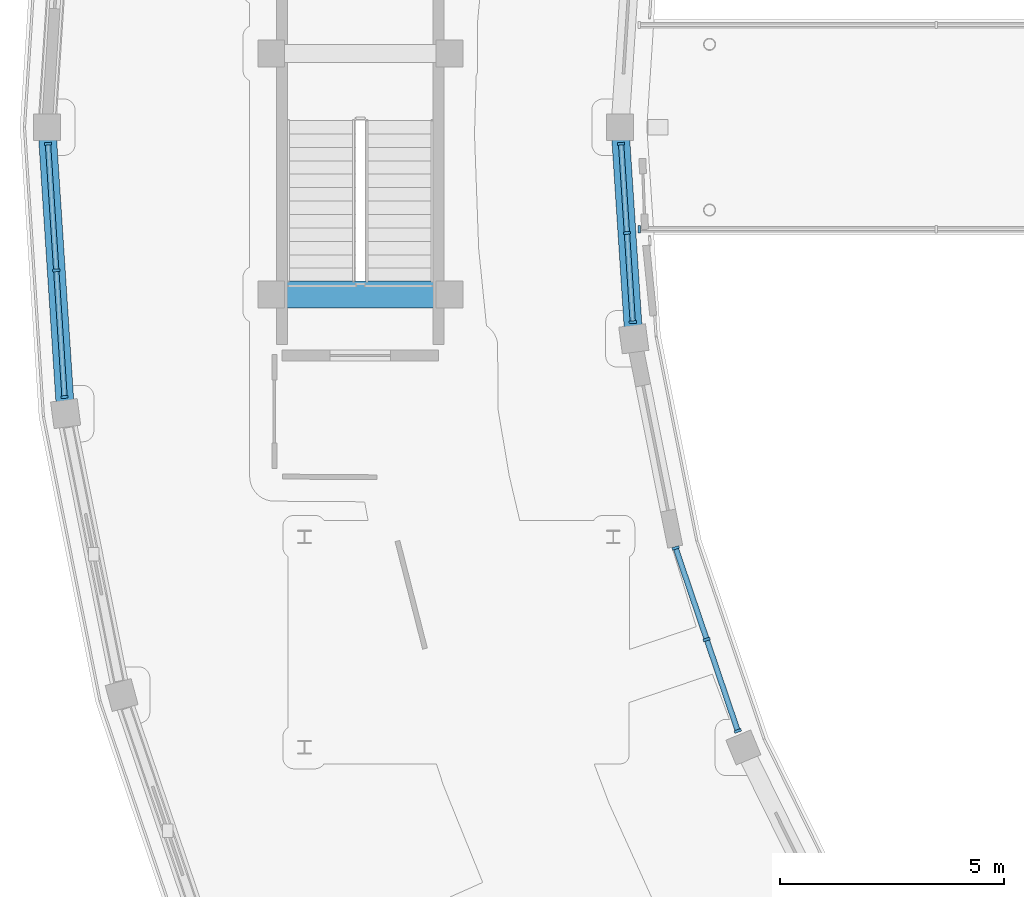
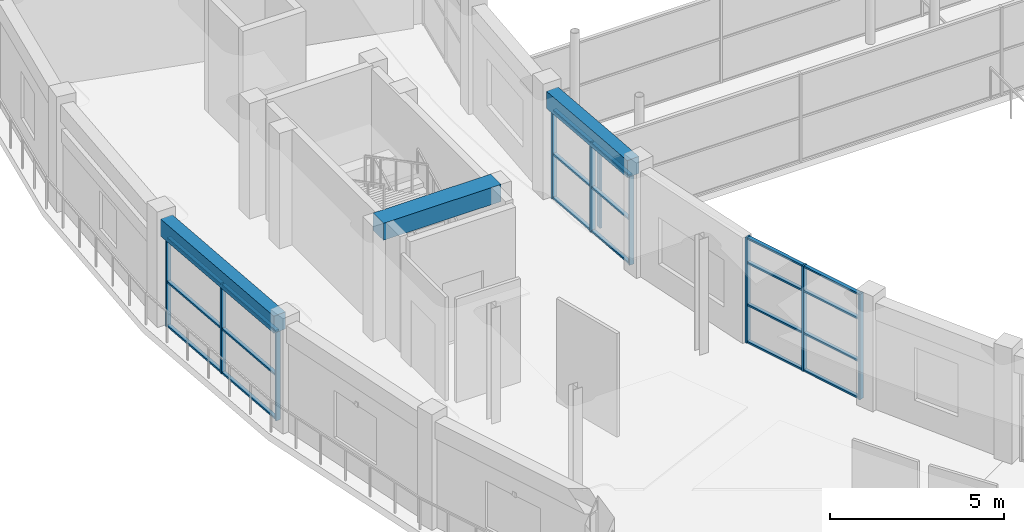
# One storey, part 17 of 72: 30 members, 3 beams, 4 elements without a shape of their own.
"""IFC4 building model written with IfcOpenShell, lengths in metres."""

from ifc_helpers import new_model, si_unit, direction, frame, origin, origin_2d, place, context, subcontext, project, spatial, rectangle, extrude, material, material_profile, profile_set, type_object, element, aggregate, save


model = new_model("IFC4")

# Units and contexts
model_context = context("Model", 3, precision=1e-05, world=origin(), true_north=direction((0.0, 1.0)))
body_context = subcontext(model_context, "Body", "Model", "MODEL_VIEW")
ifc_project = project(units=[si_unit("LENGTHUNIT", "METRE"), si_unit("AREAUNIT", "SQUARE_METRE"), si_unit("VOLUMEUNIT", "CUBIC_METRE"), si_unit("PLANEANGLEUNIT", "RADIAN"), si_unit("MASSUNIT", "GRAM", prefix="KILO")], contexts=[model_context])

# Site, building, storey
site_placement = place(None, origin())
site = spatial("IfcSite", under=ifc_project, at=site_placement, CompositionType="ELEMENT")
building_placement = place(site_placement, origin())
building = spatial("IfcBuilding", under=site, at=building_placement, Name="Saryqyr Civic Hall", CompositionType="ELEMENT")
storey_placement = place(building_placement, frame((0.0, 0.0, 17.25)))
storey = spatial("IfcBuildingStorey", under=building, at=storey_placement, Name="L04", CompositionType="ELEMENT", Elevation=17.25)

# Curtain wall, members
ifc_material_1 = material(Name="Anodised aluminium and triple low-E glass", Category="aluminium")
curtain_wall_type_1 = type_object("IfcCurtainWallType", Name="ENV-CW-STD-31", PredefinedType="NOTDEFINED", material=ifc_material_1)
curtain_wall_1_placement = place(storey_placement, origin())
curtain_wall_1 = element("IfcCurtainWall", 1, at=curtain_wall_1_placement, inside=storey, type_object=curtain_wall_type_1, Name="Curtain wall V4-CWO-L04-02", PredefinedType="NOTDEFINED")
ifc_material_2 = material(Name="Anodised aluminium", Category="aluminium")
ifc_material_profile_1 = material_profile(ifc_material_2, rectangle(XDim=0.06005859375, YDim=0.159912109375, at=origin_2d()), Name="ALU MULLION 60x160")
ifc_profile_set_1 = profile_set([ifc_material_profile_1], Name="Anodised aluminium")
member_type_1 = type_object("IfcMemberType", Name="ENV-CW-MUL-180", PredefinedType="MULLION", material=ifc_profile_set_1)
member_1_placement = place(storey_placement, frame((8.39501953125, 77.97412109375, 0.0), z_axis=(0.0, 0.0, 1.0), x_axis=(-0.06539733631, 0.99785930291, 0.0)))
member_1 = element("IfcMember", 2, at=member_1_placement, type_object=member_type_1, Name="CW-31 mullion 1", PredefinedType="MULLION", context=body_context, shape_type="SweptSolid", body=[
    extrude(rectangle(XDim=0.06005859375, YDim=0.159912109375, at=origin_2d()), origin(), (0.0, 0.0, 1.0), 3.135009765625),
])
member_2_placement = place(storey_placement, frame((8.209716796875, 80.802001953125, 0.0), z_axis=(0.0, 0.0, 1.0), x_axis=(-0.06539733631, 0.99785930291, 0.0)))
member_2 = element("IfcMember", 3, at=member_2_placement, type_object=member_type_1, Name="CW-31 mullion 2", PredefinedType="MULLION", context=body_context, shape_type="SweptSolid", body=[
    extrude(rectangle(XDim=0.06005859375, YDim=0.159912109375, at=origin_2d()), origin(), (0.0, 0.0, 1.0), 3.135009765625),
])
member_3_placement = place(storey_placement, frame((8.024169921875, 83.630126953125, 0.0), z_axis=(0.0, 0.0, 1.0), x_axis=(-0.06539733631, 0.99785930291, 0.0)))
member_3 = element("IfcMember", 4, at=member_3_placement, type_object=member_type_1, Name="CW-31 mullion 3", PredefinedType="MULLION", context=body_context, shape_type="SweptSolid", body=[
    extrude(rectangle(XDim=0.06005859375, YDim=0.159912109375, at=origin_2d()), origin(), (0.0, 0.0, 1.0), 3.135009765625),
])

curtain_wall_type_2 = type_object("IfcCurtainWallType", Name="ENV-CW-STD-13", PredefinedType="NOTDEFINED", material=ifc_material_1)
curtain_wall_2_placement = place(storey_placement, origin())
curtain_wall_2 = element("IfcCurtainWall", 5, at=curtain_wall_2_placement, inside=storey, type_object=curtain_wall_type_2, Name="Curtain wall V4-CWI-L04-02", PredefinedType="NOTDEFINED")
member_4_placement = place(storey_placement, frame((20.82421875, 83.630126953125, 0.0), z_axis=(0.0, 0.0, 1.0), x_axis=(0.065397404214, -0.997859298459, 0.0)))
member_4 = element("IfcMember", 6, at=member_4_placement, type_object=member_type_1, Name="CW-13 mullion 1", PredefinedType="MULLION", context=body_context, shape_type="SweptSolid", body=[
    extrude(rectangle(XDim=0.06005859375, YDim=0.159912109375, at=origin_2d()), origin(), (0.0, 0.0, 1.0), 3.135009765625),
])
member_5_placement = place(storey_placement, frame((20.954833984375, 81.637451171875, 0.0), z_axis=(0.0, 0.0, 1.0), x_axis=(0.065397404214, -0.997859298459, 0.0)))
member_5 = element("IfcMember", 7, at=member_5_placement, type_object=member_type_1, Name="CW-13 mullion 2", PredefinedType="MULLION", context=body_context, shape_type="SweptSolid", body=[
    extrude(rectangle(XDim=0.06005859375, YDim=0.159912109375, at=origin_2d()), origin(), (0.0, 0.0, 1.0), 3.135009765625),
])
member_6_placement = place(storey_placement, frame((21.08544921875, 79.64501953125, 0.0), z_axis=(0.0, 0.0, 1.0), x_axis=(0.065397404214, -0.997859298459, 0.0)))
member_6 = element("IfcMember", 8, at=member_6_placement, type_object=member_type_1, Name="CW-13 mullion 3", PredefinedType="MULLION", context=body_context, shape_type="SweptSolid", body=[
    extrude(rectangle(XDim=0.06005859375, YDim=0.159912109375, at=origin_2d()), origin(), (0.0, 0.0, 1.0), 3.135009765625),
])

curtain_wall_type_3 = type_object("IfcCurtainWallType", Name="ENV-CW-STD-24", PredefinedType="NOTDEFINED", material=ifc_material_1)
curtain_wall_3_placement = place(storey_placement, origin())
curtain_wall_3 = element("IfcCurtainWall", 9, at=curtain_wall_3_placement, inside=storey, type_object=curtain_wall_type_3, Name="Curtain wall V4-CWI-L04-04", PredefinedType="NOTDEFINED")
member_7_placement = place(storey_placement, frame((22.043212890625, 74.602294921875, 0.0), z_axis=(0.0, 0.0, 1.0), x_axis=(0.321446738583, -0.946927660518, 0.0)))
member_7 = element("IfcMember", 10, at=member_7_placement, type_object=member_type_1, Name="CW-24 mullion 1", PredefinedType="MULLION", context=body_context, shape_type="SweptSolid", body=[
    extrude(rectangle(XDim=0.06005859375, YDim=0.159912109375, at=origin_2d()), origin(), (0.0, 0.0, 1.0), 3.699951171875),
])
member_8_placement = place(storey_placement, frame((22.73681640625, 72.558837890625, 0.0), z_axis=(0.0, 0.0, 1.0), x_axis=(0.321446738583, -0.946927660518, 0.0)))
member_8 = element("IfcMember", 11, at=member_8_placement, type_object=member_type_1, Name="CW-24 mullion 2", PredefinedType="MULLION", context=body_context, shape_type="SweptSolid", body=[
    extrude(rectangle(XDim=0.06005859375, YDim=0.159912109375, at=origin_2d()), origin(), (0.0, 0.0, 1.0), 3.699951171875),
])
member_9_placement = place(storey_placement, frame((23.4306640625, 70.515380859375, 0.0), z_axis=(0.0, 0.0, 1.0), x_axis=(0.321446738583, -0.946927660518, 0.0)))
member_9 = element("IfcMember", 12, at=member_9_placement, type_object=member_type_1, Name="CW-24 mullion 3", PredefinedType="MULLION", context=body_context, shape_type="SweptSolid", body=[
    extrude(rectangle(XDim=0.06005859375, YDim=0.159912109375, at=origin_2d()), origin(), (0.0, 0.0, 1.0), 3.699951171875),
])

# Curtain wall, member
curtain_wall_type_4 = type_object("IfcCurtainWallType", Name="ENV-CW-STD-86", PredefinedType="NOTDEFINED", material=ifc_material_1)
curtain_wall_4_placement = place(storey_placement, origin())
curtain_wall_4 = element("IfcCurtainWall", 13, at=curtain_wall_4_placement, inside=storey, type_object=curtain_wall_type_4, Name="Curtain wall BR-CW-CW1-L04", PredefinedType="NOTDEFINED")
member_10_placement = place(storey_placement, frame((21.22998046875, 81.719970703125, 0.0), z_axis=(0.0, 0.0, 1.0), x_axis=(-1.0, 0.0, 0.0)))
member_10 = element("IfcMember", 14, at=member_10_placement, type_object=member_type_1, Name="CW-86 mullion 4", PredefinedType="MULLION", context=body_context, shape_type="SweptSolid", body=[
    extrude(rectangle(XDim=0.06005859375, YDim=0.159912109375, at=origin_2d()), origin(), (0.0, 0.0, 1.0), 3.0849609375),
])
aggregate(curtain_wall_4, [member_10])

# Member
ifc_material_profile_2 = material_profile(ifc_material_2, rectangle(XDim=0.1201171875, YDim=0.06005859375, at=origin_2d()), Name="ALU TRANSOM 120x60")
ifc_profile_set_2 = profile_set([ifc_material_profile_2], Name="Anodised aluminium")
member_type_2 = type_object("IfcMemberType", Name="ENV-CW-TRN-150", PredefinedType="USERDEFINED", material=ifc_profile_set_2)
member_11_placement = place(storey_placement, frame((8.39306640625, 78.004150390625, 0.030029296875), z_axis=(-0.06539158073, 0.9978596801, 0.0), x_axis=(-0.9978596801, -0.06539158073, 0.0)))
member_11 = element("IfcMember", 15, at=member_11_placement, type_object=member_type_2, Name="CW-31 transom 1.1", ObjectType="TRANSOM", PredefinedType="USERDEFINED", context=body_context, shape_type="SweptSolid", body=[
    extrude(rectangle(XDim=0.1201171875, YDim=0.06005859375, at=origin_2d()), origin(), (0.0, 0.0, 1.0), 2.77392578125),
])

member_12_placement = place(storey_placement, frame((8.39306640625, 78.004150390625, 1.56689453125), z_axis=(-0.06539158073, 0.9978596801, 0.0), x_axis=(-0.9978596801, -0.06539158073, 0.0)))
member_12 = element("IfcMember", 16, at=member_12_placement, type_object=member_type_2, Name="CW-31 transom 1.2", ObjectType="TRANSOM", PredefinedType="USERDEFINED", context=body_context, shape_type="SweptSolid", body=[
    extrude(rectangle(XDim=0.1201171875, YDim=0.06005859375, at=origin_2d()), origin(), (0.0, 0.0, 1.0), 2.77392578125),
])

member_13_placement = place(storey_placement, frame((8.39306640625, 78.004150390625, 3.10498046875), z_axis=(-0.06539158073, 0.9978596801, 0.0), x_axis=(-0.9978596801, -0.06539158073, 0.0)))
member_13 = element("IfcMember", 17, at=member_13_placement, type_object=member_type_2, Name="CW-31 transom 1.3", ObjectType="TRANSOM", PredefinedType="USERDEFINED", context=body_context, shape_type="SweptSolid", body=[
    extrude(rectangle(XDim=0.1201171875, YDim=0.06005859375, at=origin_2d()), origin(), (0.0, 0.0, 1.0), 2.77392578125),
])

member_14_placement = place(storey_placement, frame((8.20751953125, 80.83203125, 0.030029296875), z_axis=(-0.06539158073, 0.9978596801, 0.0), x_axis=(-0.9978596801, -0.06539158073, 0.0)))
member_14 = element("IfcMember", 18, at=member_14_placement, type_object=member_type_2, Name="CW-31 transom 2.1", ObjectType="TRANSOM", PredefinedType="USERDEFINED", context=body_context, shape_type="SweptSolid", body=[
    extrude(rectangle(XDim=0.1201171875, YDim=0.06005859375, at=origin_2d()), origin(), (0.0, 0.0, 1.0), 2.77392578125),
])

member_15_placement = place(storey_placement, frame((8.20751953125, 80.83203125, 1.56689453125), z_axis=(-0.06539158073, 0.9978596801, 0.0), x_axis=(-0.9978596801, -0.06539158073, 0.0)))
member_15 = element("IfcMember", 19, at=member_15_placement, type_object=member_type_2, Name="CW-31 transom 2.2", ObjectType="TRANSOM", PredefinedType="USERDEFINED", context=body_context, shape_type="SweptSolid", body=[
    extrude(rectangle(XDim=0.1201171875, YDim=0.06005859375, at=origin_2d()), origin(), (0.0, 0.0, 1.0), 2.77392578125),
])

member_16_placement = place(storey_placement, frame((8.20751953125, 80.83203125, 3.10498046875), z_axis=(-0.06539158073, 0.9978596801, 0.0), x_axis=(-0.9978596801, -0.06539158073, 0.0)))
member_16 = element("IfcMember", 20, at=member_16_placement, type_object=member_type_2, Name="CW-31 transom 2.3", ObjectType="TRANSOM", PredefinedType="USERDEFINED", context=body_context, shape_type="SweptSolid", body=[
    extrude(rectangle(XDim=0.1201171875, YDim=0.06005859375, at=origin_2d()), origin(), (0.0, 0.0, 1.0), 2.77392578125),
])

aggregate(curtain_wall_1, [member_1, member_2, member_3, member_11, member_12, member_13, member_14, member_15, member_16])

member_17_placement = place(storey_placement, frame((20.826171875, 83.60009765625, 0.030029296875), z_axis=(0.065422954354, -0.997857623634, 0.0), x_axis=(0.997857623634, 0.065422954354, 0.0)))
member_17 = element("IfcMember", 21, at=member_17_placement, type_object=member_type_2, Name="CW-13 transom 1.1", ObjectType="TRANSOM", PredefinedType="USERDEFINED", context=body_context, shape_type="SweptSolid", body=[
    extrude(rectangle(XDim=0.1201171875, YDim=0.06005859375, at=origin_2d()), origin(), (0.0, 0.0, 1.0), 1.936767578125),
])

member_18_placement = place(storey_placement, frame((20.826171875, 83.60009765625, 1.56689453125), z_axis=(0.065422954354, -0.997857623634, 0.0), x_axis=(0.997857623634, 0.065422954354, 0.0)))
member_18 = element("IfcMember", 22, at=member_18_placement, type_object=member_type_2, Name="CW-13 transom 1.2", ObjectType="TRANSOM", PredefinedType="USERDEFINED", context=body_context, shape_type="SweptSolid", body=[
    extrude(rectangle(XDim=0.1201171875, YDim=0.06005859375, at=origin_2d()), origin(), (0.0, 0.0, 1.0), 1.936767578125),
])

member_19_placement = place(storey_placement, frame((20.826171875, 83.60009765625, 3.10498046875), z_axis=(0.065422954354, -0.997857623634, 0.0), x_axis=(0.997857623634, 0.065422954354, 0.0)))
member_19 = element("IfcMember", 23, at=member_19_placement, type_object=member_type_2, Name="CW-13 transom 1.3", ObjectType="TRANSOM", PredefinedType="USERDEFINED", context=body_context, shape_type="SweptSolid", body=[
    extrude(rectangle(XDim=0.1201171875, YDim=0.06005859375, at=origin_2d()), origin(), (0.0, 0.0, 1.0), 1.936767578125),
])

member_20_placement = place(storey_placement, frame((20.956787109375, 81.607666015625, 0.030029296875), z_axis=(0.065414726113, -0.997858163071, 0.0), x_axis=(0.997858163071, 0.065414726113, 0.0)))
member_20 = element("IfcMember", 24, at=member_20_placement, type_object=member_type_2, Name="CW-13 transom 2.1", ObjectType="TRANSOM", PredefinedType="USERDEFINED", context=body_context, shape_type="SweptSolid", body=[
    extrude(rectangle(XDim=0.1201171875, YDim=0.06005859375, at=origin_2d()), origin(), (0.0, 0.0, 1.0), 1.93701171875),
])

member_21_placement = place(storey_placement, frame((20.956787109375, 81.607666015625, 1.56689453125), z_axis=(0.065414726113, -0.997858163071, 0.0), x_axis=(0.997858163071, 0.065414726113, 0.0)))
member_21 = element("IfcMember", 25, at=member_21_placement, type_object=member_type_2, Name="CW-13 transom 2.2", ObjectType="TRANSOM", PredefinedType="USERDEFINED", context=body_context, shape_type="SweptSolid", body=[
    extrude(rectangle(XDim=0.1201171875, YDim=0.06005859375, at=origin_2d()), origin(), (0.0, 0.0, 1.0), 1.93701171875),
])

member_22_placement = place(storey_placement, frame((20.956787109375, 81.607666015625, 3.10498046875), z_axis=(0.065414726113, -0.997858163071, 0.0), x_axis=(0.997858163071, 0.065414726113, 0.0)))
member_22 = element("IfcMember", 26, at=member_22_placement, type_object=member_type_2, Name="CW-13 transom 2.3", ObjectType="TRANSOM", PredefinedType="USERDEFINED", context=body_context, shape_type="SweptSolid", body=[
    extrude(rectangle(XDim=0.1201171875, YDim=0.06005859375, at=origin_2d()), origin(), (0.0, 0.0, 1.0), 1.93701171875),
])

aggregate(curtain_wall_2, [member_4, member_5, member_6, member_17, member_18, member_19, member_20, member_21, member_22])

member_23_placement = place(storey_placement, frame((22.052734375, 74.573974609375, 0.030029296875), z_axis=(0.321493848195, -0.946911667249, 0.0), x_axis=(0.946911667249, 0.321493848195, 0.0)))
member_23 = element("IfcMember", 27, at=member_23_placement, type_object=member_type_2, Name="CW-24 transom 1.1", ObjectType="TRANSOM", PredefinedType="USERDEFINED", context=body_context, shape_type="SweptSolid", body=[
    extrude(rectangle(XDim=0.1201171875, YDim=0.06005859375, at=origin_2d()), origin(), (0.0, 0.0, 1.0), 2.09814453125),
])

member_24_placement = place(storey_placement, frame((22.052734375, 74.573974609375, 1.33203125), z_axis=(0.321493848195, -0.946911667249, 0.0), x_axis=(0.946911667249, 0.321493848195, 0.0)))
member_24 = element("IfcMember", 28, at=member_24_placement, type_object=member_type_2, Name="CW-24 transom 1.2", ObjectType="TRANSOM", PredefinedType="USERDEFINED", context=body_context, shape_type="SweptSolid", body=[
    extrude(rectangle(XDim=0.1201171875, YDim=0.06005859375, at=origin_2d()), origin(), (0.0, 0.0, 1.0), 2.09814453125),
])

member_25_placement = place(storey_placement, frame((22.052734375, 74.573974609375, 2.81201171875), z_axis=(0.321493848195, -0.946911667249, 0.0), x_axis=(0.946911667249, 0.321493848195, 0.0)))
member_25 = element("IfcMember", 29, at=member_25_placement, type_object=member_type_2, Name="CW-24 transom 1.3", ObjectType="TRANSOM", PredefinedType="USERDEFINED", context=body_context, shape_type="SweptSolid", body=[
    extrude(rectangle(XDim=0.1201171875, YDim=0.06005859375, at=origin_2d()), origin(), (0.0, 0.0, 1.0), 2.09814453125),
])

member_26_placement = place(storey_placement, frame((22.052734375, 74.573974609375, 3.669921875), z_axis=(0.321493848195, -0.946911667249, 0.0), x_axis=(0.946911667249, 0.321493848195, 0.0)))
member_26 = element("IfcMember", 30, at=member_26_placement, type_object=member_type_2, Name="CW-24 transom 1.4", ObjectType="TRANSOM", PredefinedType="USERDEFINED", context=body_context, shape_type="SweptSolid", body=[
    extrude(rectangle(XDim=0.1201171875, YDim=0.06005859375, at=origin_2d()), origin(), (0.0, 0.0, 1.0), 2.09814453125),
])

member_27_placement = place(storey_placement, frame((22.74658203125, 72.530517578125, 0.030029296875), z_axis=(0.321389511978, -0.946947084895, 0.0), x_axis=(0.946947084895, 0.321389511978, 0.0)))
member_27 = element("IfcMember", 31, at=member_27_placement, type_object=member_type_2, Name="CW-24 transom 2.1", ObjectType="TRANSOM", PredefinedType="USERDEFINED", context=body_context, shape_type="SweptSolid", body=[
    extrude(rectangle(XDim=0.1201171875, YDim=0.06005859375, at=origin_2d()), origin(), (0.0, 0.0, 1.0), 2.09814453125),
])

member_28_placement = place(storey_placement, frame((22.74658203125, 72.530517578125, 1.33203125), z_axis=(0.321389511978, -0.946947084895, 0.0), x_axis=(0.946947084895, 0.321389511978, 0.0)))
member_28 = element("IfcMember", 32, at=member_28_placement, type_object=member_type_2, Name="CW-24 transom 2.2", ObjectType="TRANSOM", PredefinedType="USERDEFINED", context=body_context, shape_type="SweptSolid", body=[
    extrude(rectangle(XDim=0.1201171875, YDim=0.06005859375, at=origin_2d()), origin(), (0.0, 0.0, 1.0), 2.09814453125),
])

member_29_placement = place(storey_placement, frame((22.74658203125, 72.530517578125, 2.81201171875), z_axis=(0.321389511978, -0.946947084895, 0.0), x_axis=(0.946947084895, 0.321389511978, 0.0)))
member_29 = element("IfcMember", 33, at=member_29_placement, type_object=member_type_2, Name="CW-24 transom 2.3", ObjectType="TRANSOM", PredefinedType="USERDEFINED", context=body_context, shape_type="SweptSolid", body=[
    extrude(rectangle(XDim=0.1201171875, YDim=0.06005859375, at=origin_2d()), origin(), (0.0, 0.0, 1.0), 2.09814453125),
])

member_30_placement = place(storey_placement, frame((22.74658203125, 72.530517578125, 3.669921875), z_axis=(0.321389511978, -0.946947084895, 0.0), x_axis=(0.946947084895, 0.321389511978, 0.0)))
member_30 = element("IfcMember", 34, at=member_30_placement, type_object=member_type_2, Name="CW-24 transom 2.4", ObjectType="TRANSOM", PredefinedType="USERDEFINED", context=body_context, shape_type="SweptSolid", body=[
    extrude(rectangle(XDim=0.1201171875, YDim=0.06005859375, at=origin_2d()), origin(), (0.0, 0.0, 1.0), 2.09814453125),
])

aggregate(curtain_wall_3, [member_7, member_8, member_9, member_23, member_24, member_25, member_26, member_27, member_28, member_29, member_30])

# Beams
ifc_material_3 = material(Name="Concrete C35/45", Category="concrete")
ifc_material_profile_3 = material_profile(ifc_material_3, rectangle(XDim=0.39990234375, YDim=0.60009765625, at=origin_2d()), Name="RC 400x600")
ifc_profile_set_3 = profile_set([ifc_material_profile_3], Name="Concrete C35/45")
beam_type_1 = type_object("IfcBeamType", Name="STR-BM-RC400x600-EXT", PredefinedType="BEAM", material=ifc_profile_set_3)
beam_1_placement = place(storey_placement, frame((20.818115234375, 83.7255859375, 3.4599609375), z_axis=(0.065392297948, -0.997859633099, 0.0), x_axis=(0.997859633099, 0.065392297948, 0.0)))
element("IfcBeam", 35, at=beam_1_placement, inside=storey, type_object=beam_type_1, Name="Beam V4-CBM-IN02-L04", PredefinedType="BEAM", context=body_context, shape_type="SweptSolid", body=[
    extrude(rectangle(XDim=0.39990234375, YDim=0.60009765625, at=origin_2d()), origin(), (0.0, 0.0, 1.0), 4.185302734375),
])
beam_2_placement = place(storey_placement, frame((8.01806640625, 83.7255859375, 3.4599609375), z_axis=(0.06537407149, -0.997860827359, 0.0), x_axis=(0.997860827359, 0.06537407149, 0.0)))
element("IfcBeam", 36, at=beam_2_placement, inside=storey, type_object=beam_type_1, Name="Beam V4-CBM-OUT02-L04", PredefinedType="BEAM", context=body_context, shape_type="SweptSolid", body=[
    extrude(rectangle(XDim=0.39990234375, YDim=0.60009765625, at=origin_2d()), origin(), (0.0, 0.0, 1.0), 5.859375),
])
ifc_material_4 = material(Name="Concrete C40/50", Category="concrete")
ifc_material_profile_4 = material_profile(ifc_material_4, rectangle(XDim=0.60009765625, YDim=0.60009765625, at=origin_2d()), Name="RC 600x600")
ifc_profile_set_4 = profile_set([ifc_material_profile_4], Name="Concrete C40/50")
beam_type_2 = type_object("IfcBeamType", Name="STR-BM-RC600x600", PredefinedType="BEAM", material=ifc_profile_set_4)
beam_3_placement = place(storey_placement, frame((16.949951171875, 80.264892578125, 3.75), z_axis=(-1.0, 0.0, 0.0), x_axis=(0.0, -1.0, 0.0)))
element("IfcBeam", 37, at=beam_3_placement, inside=storey, type_object=beam_type_2, Name="Stair well trimmer beam ST-4-L05", PredefinedType="BEAM", context=body_context, shape_type="SweptSolid", body=[
    extrude(rectangle(XDim=0.60009765625, YDim=0.60009765625, at=origin_2d()), origin(), (0.0, 0.0, 1.0), 3.89990234375),
])

save(model, "model.ifc")
